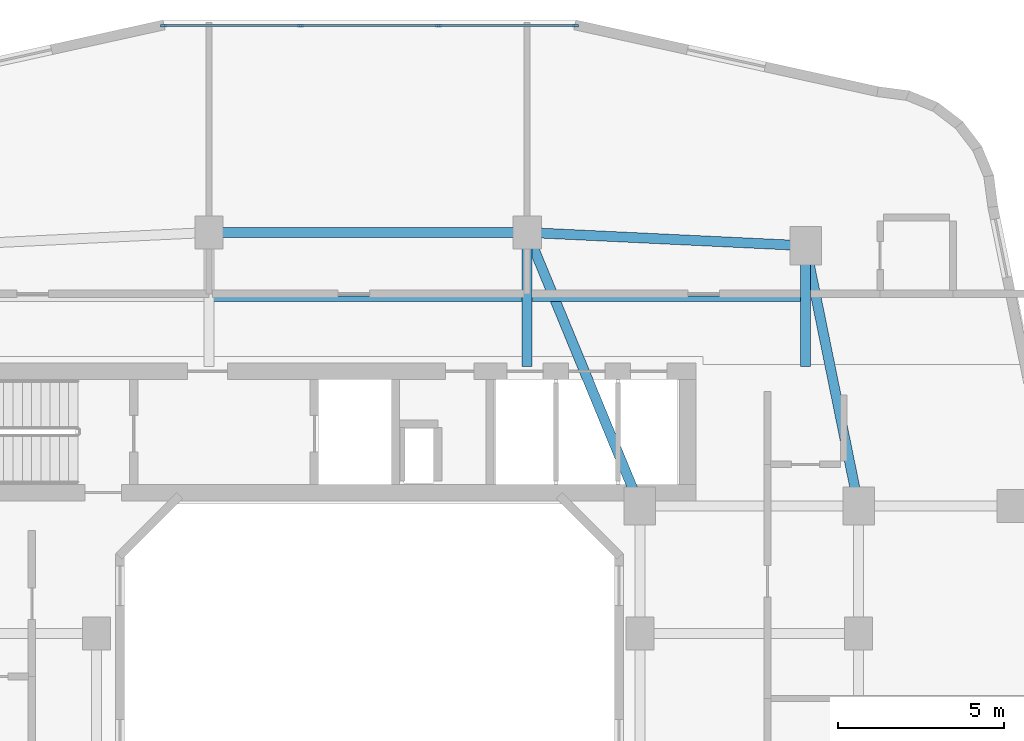
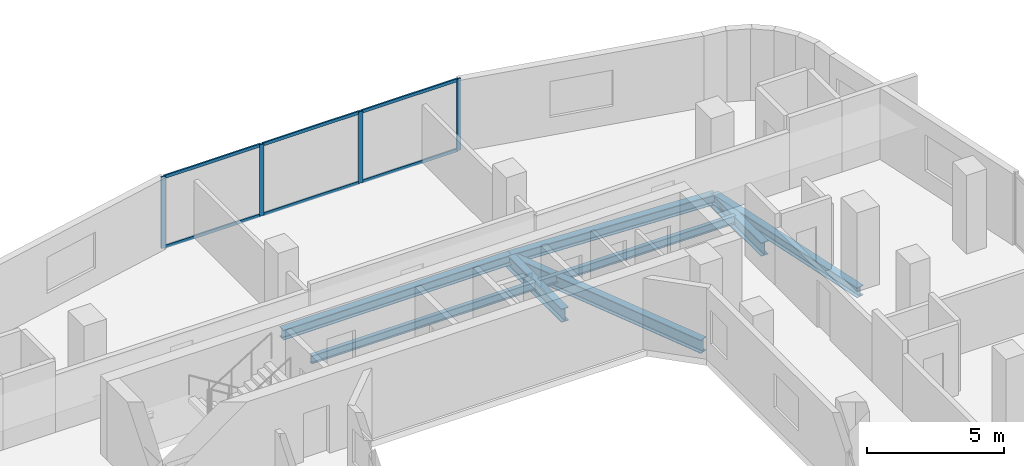
# One storey, part 7 of 25: 10 members, 8 beams, 1 element without a shape of its own.
"""IFC4 building model written with IfcOpenShell, lengths in metres."""

from ifc_helpers import new_model, si_unit, derived_unit, direction, frame, origin, origin_2d, place, context, subcontext, project, spatial, rectangle, i_section, extrude, material, layer, layer_set, material_profile, profile_set, type_object, element, aggregate, save


model = new_model("IFC4")

# Units and contexts
model_context = context("Model", 3, precision=1e-05, world=origin(), true_north=direction((0.0, 1.0)))
body_context = subcontext(model_context, "Body", "Model", "MODEL_VIEW")
ifc_project = project(units=[si_unit("LENGTHUNIT", "METRE"), si_unit("AREAUNIT", "SQUARE_METRE"), si_unit("VOLUMEUNIT", "CUBIC_METRE"), si_unit("PLANEANGLEUNIT", "RADIAN"), si_unit("MASSUNIT", "GRAM", prefix="KILO"), derived_unit("THERMALTRANSMITTANCEUNIT", [(si_unit("POWERUNIT", "WATT"), 1), (si_unit("LENGTHUNIT", "METRE"), -2), (si_unit("THERMODYNAMICTEMPERATUREUNIT", "KELVIN"), -1)])], contexts=[model_context])

# Site, building, storey
site_placement = place(None, origin())
site = spatial("IfcSite", under=ifc_project, at=site_placement, CompositionType="ELEMENT")
building_placement = place(site_placement, origin())
building = spatial("IfcBuilding", under=site, at=building_placement, Name="Kivonza Crest Hotel", CompositionType="ELEMENT")
storey_placement = place(building_placement, frame((0.0, 0.0, 87.0)))
storey = spatial("IfcBuildingStorey", under=building, at=storey_placement, Name="L23", CompositionType="ELEMENT", Elevation=87.0)

# Beams
ifc_material_1 = material(Name="Steel S355", Category="steel")
ifc_material_profile_1 = material_profile(ifc_material_1, i_section(OverallWidth=0.300048828125, OverallDepth=0.449951171875, WebThickness=0.013916015625, FlangeThickness=0.02587890625, FilletRadius=0.027099609375, at=origin_2d()), Name="HEB 450")
ifc_profile_set_1 = profile_set([ifc_material_profile_1], Name="Steel S355")
beam_type_1 = type_object("IfcBeamType", Name="BM-HEB450", PredefinedType="SPANDREL", material=ifc_profile_set_1)
beam_1_placement = place(storey_placement, frame((35.800048828125, 32.35009765625, -0.5048828125), z_axis=(-0.199730733965, 0.979850822273, 0.0), x_axis=(-0.979850822273, -0.199730733965, 0.0)))
element("IfcBeam", 1, at=beam_1_placement, inside=storey, type_object=beam_type_1, Name="Tower T1 L23 perimeter spandrel PNE-NE", PredefinedType="SPANDREL", context=body_context, shape_type="SweptSolid", body=[
    extrude(i_section(OverallWidth=0.300048828125, OverallDepth=0.449951171875, WebThickness=0.013916015625, FlangeThickness=0.02587890625, FilletRadius=0.027099609375, at=origin_2d()), origin(), (0.0, 0.0, 1.0), 8.01123046875),
])
beam_2_placement = place(storey_placement, frame((34.199951171875, 40.199951171875, -0.5048828125), z_axis=(-0.998867283688, 0.047583080799, 0.0), x_axis=(-0.047583080799, -0.998867283688, 0.0)))
element("IfcBeam", 2, at=beam_2_placement, inside=storey, type_object=beam_type_1, Name="Tower T1 L23 perimeter spandrel NE-N2", PredefinedType="SPANDREL", context=body_context, shape_type="SweptSolid", body=[
    extrude(i_section(OverallWidth=0.300048828125, OverallDepth=0.449951171875, WebThickness=0.013916015625, FlangeThickness=0.02587890625, FilletRadius=0.027099609375, at=origin_2d()), origin(), (0.0, 0.0, 1.0), 8.409423828125),
])
beam_3_placement = place(storey_placement, frame((25.800048828125, 40.60009765625, -0.5048828125), z_axis=(-1.0, 0.0, 0.0), x_axis=(0.0, -1.0, 0.0)))
element("IfcBeam", 3, at=beam_3_placement, inside=storey, type_object=beam_type_1, Name="Tower T1 L23 perimeter spandrel N2-N1", PredefinedType="SPANDREL", context=body_context, shape_type="SweptSolid", body=[
    extrude(i_section(OverallWidth=0.300048828125, OverallDepth=0.449951171875, WebThickness=0.013916015625, FlangeThickness=0.02587890625, FilletRadius=0.027099609375, at=origin_2d()), origin(), (0.0, 0.0, 1.0), 9.60009765625),
])
ifc_material_profile_2 = material_profile(ifc_material_1, i_section(OverallWidth=0.300048828125, OverallDepth=0.60009765625, WebThickness=0.015380859375, FlangeThickness=0.030029296875, FilletRadius=0.027099609375, at=origin_2d()), Name="HEB 600")
ifc_profile_set_2 = profile_set([ifc_material_profile_2], Name="Steel S355")
beam_type_2 = type_object("IfcBeamType", Name="BM-HEB600", PredefinedType="BEAM", material=ifc_profile_set_2)
beam_4_placement = place(storey_placement, frame((25.800048828125, 40.60009765625, -0.580078125), z_axis=(0.381022260404, -0.924565864109, 0.0), x_axis=(0.924565864109, 0.381022260404, 0.0)))
element("IfcBeam", 4, at=beam_4_placement, inside=storey, type_object=beam_type_2, Name="Tower T1 L23 primary girder N1-TNE", PredefinedType="BEAM", context=body_context, shape_type="SweptSolid", body=[
    extrude(i_section(OverallWidth=0.300048828125, OverallDepth=0.60009765625, WebThickness=0.015380859375, FlangeThickness=0.030029296875, FilletRadius=0.027099609375, at=origin_2d()), origin(), (0.0, 0.0, 1.0), 8.923095703125),
])
beam_5_placement = place(storey_placement, frame((25.800048828125, 40.60009765625, -0.580078125), z_axis=(0.0, -1.0, 0.0), x_axis=(1.0, 0.0, 0.0)))
element("IfcBeam", 5, at=beam_5_placement, inside=storey, type_object=beam_type_2, Name="Tower T1 L23 radial core girder RN2", PredefinedType="BEAM", context=body_context, shape_type="SweptSolid", body=[
    extrude(i_section(OverallWidth=0.300048828125, OverallDepth=0.60009765625, WebThickness=0.015380859375, FlangeThickness=0.030029296875, FilletRadius=0.027099609375, at=origin_2d()), origin(), (0.0, 0.0, 1.0), 4.050048828125),
])
beam_6_placement = place(storey_placement, frame((34.199951171875, 40.199951171875, -0.580078125), z_axis=(0.0, -1.0, 0.0), x_axis=(1.0, 0.0, 0.0)))
element("IfcBeam", 6, at=beam_6_placement, inside=storey, type_object=beam_type_2, Name="Tower T1 L23 radial core girder RNE", PredefinedType="BEAM", context=body_context, shape_type="SweptSolid", body=[
    extrude(i_section(OverallWidth=0.300048828125, OverallDepth=0.60009765625, WebThickness=0.015380859375, FlangeThickness=0.030029296875, FilletRadius=0.027099609375, at=origin_2d()), origin(), (0.0, 0.0, 1.0), 3.64990234375),
])
ifc_material_profile_3 = material_profile(ifc_material_1, i_section(OverallWidth=0.169921875, OverallDepth=0.360107421875, WebThickness=0.008056640625, FlangeThickness=0.0126953125, FilletRadius=0.01806640625, at=origin_2d()), Name="IPE 360")
ifc_profile_set_3 = profile_set([ifc_material_profile_3], Name="Steel S355")
beam_type_3 = type_object("IfcBeamType", Name="BM-IPE360", PredefinedType="JOIST", material=ifc_profile_set_3)
beam_7_placement = place(storey_placement, frame((16.280029296875, 38.60009765625, -0.4599609375), z_axis=(1.0, 0.0, 0.0), x_axis=(0.0, 1.0, 0.0)))
element("IfcBeam", 7, at=beam_7_placement, inside=storey, type_object=beam_type_3, Name="Tower T1 L23 North-Mid floor joist", PredefinedType="JOIST", context=body_context, shape_type="SweptSolid", body=[
    extrude(i_section(OverallWidth=0.169921875, OverallDepth=0.360107421875, WebThickness=0.008056640625, FlangeThickness=0.0126953125, FilletRadius=0.01806640625, at=origin_2d()), origin(), (0.0, 0.0, 1.0), 9.43994140625),
])
beam_8_placement = place(storey_placement, frame((25.8798828125, 38.60009765625, -0.4599609375), z_axis=(1.0, 0.0, 0.0), x_axis=(0.0, 1.0, 0.0)))
element("IfcBeam", 8, at=beam_8_placement, inside=storey, type_object=beam_type_3, Name="Tower T1 L23 North-East floor joist", PredefinedType="JOIST", context=body_context, shape_type="SweptSolid", body=[
    extrude(i_section(OverallWidth=0.169921875, OverallDepth=0.360107421875, WebThickness=0.008056640625, FlangeThickness=0.0126953125, FilletRadius=0.01806640625, at=origin_2d()), origin(), (0.0, 0.0, 1.0), 8.240234375),
])

# Curtain wall, members
ifc_material_2 = material(Name="Anodised bronze aluminium and low-E double glazing", Category="aluminium")
ifc_layer = layer(ifc_material_2, 0.179931640625)
ifc_layer_set = layer_set([ifc_layer], Name="Anodised bronze aluminium and low-E double glazing")
curtain_wall_type = type_object("IfcCurtainWallType", Name="CW-SYS-2", PredefinedType="NOTDEFINED", material=ifc_layer_set)
curtain_wall_placement = place(storey_placement, origin())
curtain_wall = element("IfcCurtainWall", 9, at=curtain_wall_placement, inside=storey, type_object=curtain_wall_type, Name="L23 unitised curtain wall CW-T1-L23-26", PredefinedType="NOTDEFINED")
ifc_material_3 = material(Name="Anodised bronze aluminium", Category="aluminium")
ifc_material_profile_4 = material_profile(ifc_material_3, rectangle(XDim=0.06494140625, YDim=0.179931640625, at=origin_2d()), Name="CW-M 65x180")
ifc_profile_set_4 = profile_set([ifc_material_profile_4], Name="Anodised bronze aluminium")
member_type_1 = type_object("IfcMemberType", Name="CW-MUL-65x180", PredefinedType="MULLION", material=ifc_profile_set_4)
member_1_placement = place(storey_placement, frame((27.255615234375, 46.840087890625, 0.0), z_axis=(0.0, 0.0, 1.0), x_axis=(0.0, -1.0, 0.0)))
member_1 = element("IfcMember", 10, at=member_1_placement, type_object=member_type_1, Name="CW-2 mullion 1", PredefinedType="MULLION", context=body_context, shape_type="SweptSolid", body=[
    extrude(rectangle(XDim=0.06494140625, YDim=0.179931640625, at=origin_2d()), origin(), (0.0, 0.0, 1.0), 3.179931640625),
])
member_2_placement = place(storey_placement, frame((23.12255859375, 46.840087890625, 0.0), z_axis=(0.0, 0.0, 1.0), x_axis=(0.0, -1.0, 0.0)))
member_2 = element("IfcMember", 11, at=member_2_placement, type_object=member_type_1, Name="CW-2 mullion 2", PredefinedType="MULLION", context=body_context, shape_type="SweptSolid", body=[
    extrude(rectangle(XDim=0.06494140625, YDim=0.179931640625, at=origin_2d()), origin(), (0.0, 0.0, 1.0), 3.179931640625),
])
member_3_placement = place(storey_placement, frame((18.957275390625, 46.840087890625, 0.0), z_axis=(0.0, 0.0, 1.0), x_axis=(0.0, -1.0, 0.0)))
member_3 = element("IfcMember", 12, at=member_3_placement, type_object=member_type_1, Name="CW-2 mullion 3", PredefinedType="MULLION", context=body_context, shape_type="SweptSolid", body=[
    extrude(rectangle(XDim=0.06494140625, YDim=0.179931640625, at=origin_2d()), origin(), (0.0, 0.0, 1.0), 3.179931640625),
])
member_4_placement = place(storey_placement, frame((14.824462890625, 46.840087890625, 0.0), z_axis=(0.0, 0.0, 1.0), x_axis=(0.0, -1.0, 0.0)))
member_4 = element("IfcMember", 13, at=member_4_placement, type_object=member_type_1, Name="CW-2 mullion 4", PredefinedType="MULLION", context=body_context, shape_type="SweptSolid", body=[
    extrude(rectangle(XDim=0.06494140625, YDim=0.179931640625, at=origin_2d()), origin(), (0.0, 0.0, 1.0), 3.179931640625),
])
ifc_material_profile_5 = material_profile(ifc_material_3, rectangle(XDim=0.06494140625, YDim=0.139892578125, at=origin_2d()), Name="CW-T 65x140")
ifc_profile_set_5 = profile_set([ifc_material_profile_5], Name="Anodised bronze aluminium")
member_type_2 = type_object("IfcMemberType", Name="CW-TRN-65x140", PredefinedType="USERDEFINED", material=ifc_profile_set_5)
member_5_placement = place(storey_placement, frame((27.222900390625, 46.840087890625, 0.032470703125), z_axis=(-1.0, 0.0, 0.0), x_axis=(0.0, -1.0, 0.0)))
member_5 = element("IfcMember", 14, at=member_5_placement, type_object=member_type_2, Name="CW-2 transom 1.1", ObjectType="TRANSOM", PredefinedType="USERDEFINED", context=body_context, shape_type="SweptSolid", body=[
    extrude(rectangle(XDim=0.06494140625, YDim=0.139892578125, at=origin_2d()), origin(), (0.0, 0.0, 1.0), 4.067626953125),
])
member_6_placement = place(storey_placement, frame((27.222900390625, 46.840087890625, 3.1474609375), z_axis=(-1.0, 0.0, 0.0), x_axis=(0.0, -1.0, 0.0)))
member_6 = element("IfcMember", 15, at=member_6_placement, type_object=member_type_2, Name="CW-2 transom 1.2", ObjectType="TRANSOM", PredefinedType="USERDEFINED", context=body_context, shape_type="SweptSolid", body=[
    extrude(rectangle(XDim=0.06494140625, YDim=0.139892578125, at=origin_2d()), origin(), (0.0, 0.0, 1.0), 4.067626953125),
])
member_7_placement = place(storey_placement, frame((23.090087890625, 46.840087890625, 0.032470703125), z_axis=(-1.0, 0.0, 0.0), x_axis=(0.0, -1.0, 0.0)))
member_7 = element("IfcMember", 16, at=member_7_placement, type_object=member_type_2, Name="CW-2 transom 2.1", ObjectType="TRANSOM", PredefinedType="USERDEFINED", context=body_context, shape_type="SweptSolid", body=[
    extrude(rectangle(XDim=0.06494140625, YDim=0.139892578125, at=origin_2d()), origin(), (0.0, 0.0, 1.0), 4.100341796875),
])
member_8_placement = place(storey_placement, frame((23.090087890625, 46.840087890625, 3.1474609375), z_axis=(-1.0, 0.0, 0.0), x_axis=(0.0, -1.0, 0.0)))
member_8 = element("IfcMember", 17, at=member_8_placement, type_object=member_type_2, Name="CW-2 transom 2.2", ObjectType="TRANSOM", PredefinedType="USERDEFINED", context=body_context, shape_type="SweptSolid", body=[
    extrude(rectangle(XDim=0.06494140625, YDim=0.139892578125, at=origin_2d()), origin(), (0.0, 0.0, 1.0), 4.100341796875),
])
member_9_placement = place(storey_placement, frame((18.9248046875, 46.840087890625, 0.032470703125), z_axis=(-1.0, 0.0, 0.0), x_axis=(0.0, -1.0, 0.0)))
member_9 = element("IfcMember", 18, at=member_9_placement, type_object=member_type_2, Name="CW-2 transom 3.1", ObjectType="TRANSOM", PredefinedType="USERDEFINED", context=body_context, shape_type="SweptSolid", body=[
    extrude(rectangle(XDim=0.06494140625, YDim=0.139892578125, at=origin_2d()), origin(), (0.0, 0.0, 1.0), 4.06787109375),
])
member_10_placement = place(storey_placement, frame((18.9248046875, 46.840087890625, 3.1474609375), z_axis=(-1.0, 0.0, 0.0), x_axis=(0.0, -1.0, 0.0)))
member_10 = element("IfcMember", 19, at=member_10_placement, type_object=member_type_2, Name="CW-2 transom 3.2", ObjectType="TRANSOM", PredefinedType="USERDEFINED", context=body_context, shape_type="SweptSolid", body=[
    extrude(rectangle(XDim=0.06494140625, YDim=0.139892578125, at=origin_2d()), origin(), (0.0, 0.0, 1.0), 4.06787109375),
])
aggregate(curtain_wall, [member_1, member_2, member_3, member_4, member_5, member_6, member_7, member_8, member_9, member_10])

save(model, "model.ifc")
